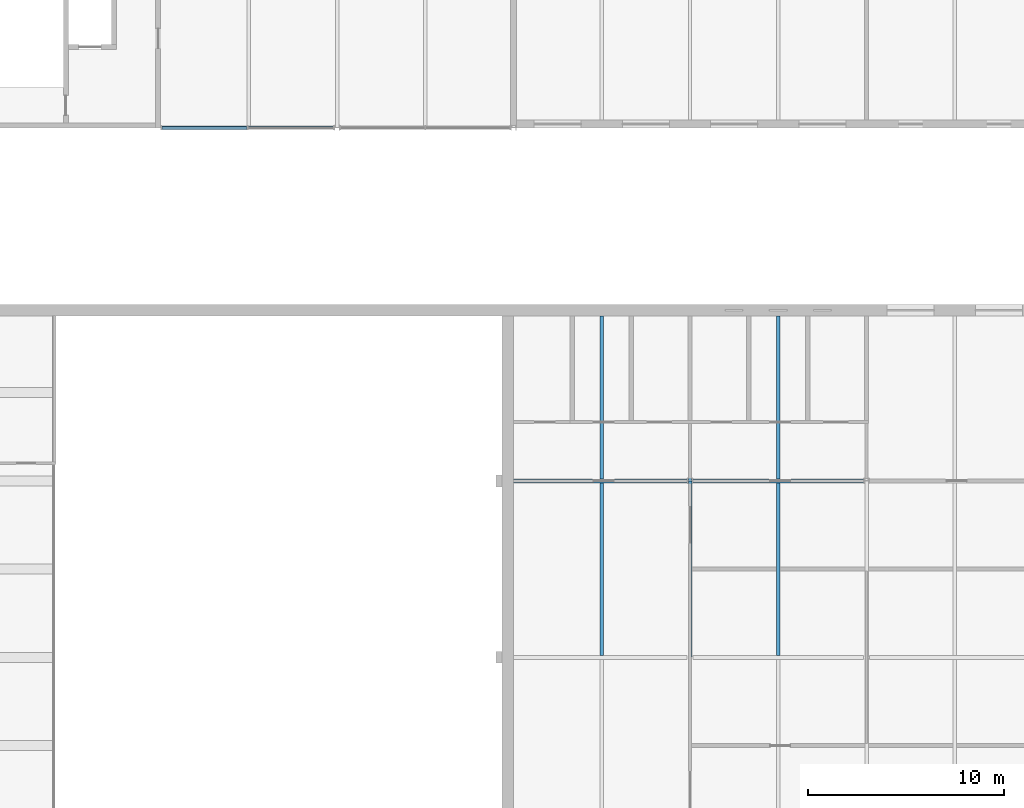
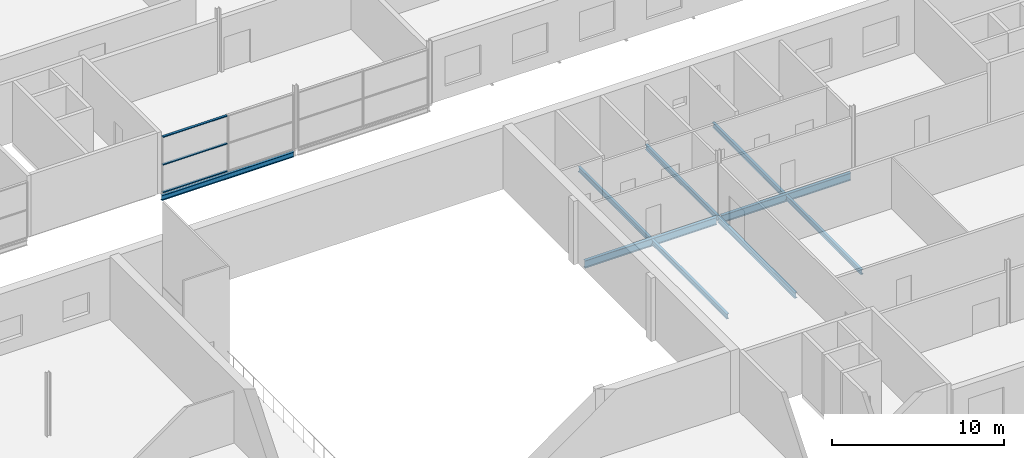
# One storey, part 84 of 138: 9 beams, 3 members, 1 element without a shape of its own.
"""IFC4 building model written with IfcOpenShell, lengths in metres."""

from ifc_helpers import new_model, si_unit, direction, frame, origin, origin_2d, place, context, subcontext, project, spatial, rectangle, i_section, extrude, material, layer, layer_set, material_profile, profile_set, type_object, element, aggregate, save


model = new_model("IFC4")

# Units and contexts
model_context = context("Model", 3, precision=1e-05, world=origin(), true_north=direction((0.0, 1.0)))
body_context = subcontext(model_context, "Body", "Model", "MODEL_VIEW")
ifc_project = project(units=[si_unit("LENGTHUNIT", "METRE"), si_unit("AREAUNIT", "SQUARE_METRE"), si_unit("VOLUMEUNIT", "CUBIC_METRE"), si_unit("PLANEANGLEUNIT", "RADIAN"), si_unit("MASSUNIT", "GRAM", prefix="KILO")], contexts=[model_context])

# Site, building, storey
site_placement = place(None, origin())
site = spatial("IfcSite", under=ifc_project, at=site_placement, CompositionType="ELEMENT")
building_placement = place(site_placement, origin())
building = spatial("IfcBuilding", under=site, at=building_placement, Name="Corbel Yard City Hall", CompositionType="ELEMENT")
storey_placement = place(building_placement, frame((0.0, 0.0, 10.5)))
storey = spatial("IfcBuildingStorey", under=building, at=storey_placement, Name="L02", CompositionType="ELEMENT", Elevation=10.5)

# Beams
ifc_material_1 = material(Name="Steel Grade 300 (300 MPa yield)", Category="steel")
ifc_material_profile_1 = material_profile(ifc_material_1, i_section(OverallWidth=0.1708984375, OverallDepth=0.35205078125, WebThickness=0.0068359375, FlangeThickness=0.009765625, at=origin_2d()), Name="360UB44.7")
ifc_profile_set_1 = profile_set([ifc_material_profile_1], Name="Steel Grade 300 (300 MPa yield)")
beam_type_1 = type_object("IfcBeamType", Name="Beam 360UB44.7", PredefinedType="BEAM", material=ifc_profile_set_1)
beam_1_placement = place(storey_placement, frame((153.0, 72.005859375, -0.325927734375), z_axis=(0.0, 1.0, 0.0), x_axis=(-1.0, 0.0, 0.0)))
element("IfcBeam", 1, at=beam_1_placement, inside=storey, type_object=beam_type_1, Name="Beam 360UB44.7 SB13 L02floor", PredefinedType="BEAM", context=body_context, shape_type="SweptSolid", body=[
    extrude(i_section(OverallWidth=0.1708984375, OverallDepth=0.35205078125, WebThickness=0.0068359375, FlangeThickness=0.009765625, at=origin_2d()), origin(), (0.0, 0.0, 1.0), 8.39404296875),
])
ifc_material_profile_2 = material_profile(ifc_material_1, i_section(OverallWidth=0.177978515625, OverallDepth=0.403076171875, WebThickness=0.007568359375, FlangeThickness=0.010986328125, at=origin_2d()), Name="410UB53.7")
ifc_profile_set_2 = profile_set([ifc_material_profile_2], Name="Steel Grade 300 (300 MPa yield)")
beam_type_2 = type_object("IfcBeamType", Name="Beam 410UB53.7", PredefinedType="BEAM", material=ifc_profile_set_2)
beam_2_placement = place(storey_placement, frame((153.0, 63.005859375, -0.3515625), z_axis=(0.0, 1.0, 0.0), x_axis=(-1.0, 0.0, 0.0)))
element("IfcBeam", 2, at=beam_2_placement, inside=storey, type_object=beam_type_2, Name="Beam 410UB53.7 SB6 L02floor", PredefinedType="BEAM", context=body_context, shape_type="SweptSolid", body=[
    extrude(i_section(OverallWidth=0.177978515625, OverallDepth=0.403076171875, WebThickness=0.007568359375, FlangeThickness=0.010986328125, at=origin_2d()), origin(), (0.0, 0.0, 1.0), 8.98828125),
])
ifc_material_profile_3 = material_profile(ifc_material_1, i_section(OverallWidth=0.172119140625, OverallDepth=0.35888671875, WebThickness=0.008056640625, FlangeThickness=0.012939453125, at=origin_2d()), Name="360UB56.7")
ifc_profile_set_3 = profile_set([ifc_material_profile_3], Name="Steel Grade 300 (300 MPa yield)")
beam_type_3 = type_object("IfcBeamType", Name="Edge beam 360UB56.7", PredefinedType="BEAM", material=ifc_profile_set_3)
beam_3_placement = place(storey_placement, frame((126.0, 90.0, -0.32958984375), z_axis=(1.0, 0.0, 0.0), x_axis=(0.0, 1.0, 0.0)))
element("IfcBeam", 3, at=beam_3_placement, inside=storey, type_object=beam_type_3, Name="Edge beam 360UB56.7 EB4 L02floor", PredefinedType="BEAM", context=body_context, shape_type="SweptSolid", body=[
    extrude(i_section(OverallWidth=0.172119140625, OverallDepth=0.35888671875, WebThickness=0.008056640625, FlangeThickness=0.012939453125, at=origin_2d()), origin(), (0.0, 0.0, 1.0), 8.8701171875),
])
ifc_material_profile_4 = material_profile(ifc_material_1, i_section(OverallWidth=0.208984375, OverallDepth=0.528076171875, WebThickness=0.009521484375, FlangeThickness=0.01318359375, at=origin_2d()), Name="530UB82.0")
ifc_profile_set_4 = profile_set([ifc_material_profile_4], Name="Steel Grade 300 (300 MPa yield)")
beam_type_4 = type_object("IfcBeamType", Name="Girder 530UB82.0", PredefinedType="BEAM", material=ifc_profile_set_4)
beam_4_placement = place(storey_placement, frame((144.0, 72.0, -0.4140625), z_axis=(1.0, 0.0, 0.0), x_axis=(0.0, 1.0, 0.0)))
element("IfcBeam", 4, at=beam_4_placement, inside=storey, type_object=beam_type_4, Name="Girder 530UB82.0 GB3 L02floor", PredefinedType="BEAM", context=body_context, shape_type="SweptSolid", body=[
    extrude(i_section(OverallWidth=0.208984375, OverallDepth=0.528076171875, WebThickness=0.009521484375, FlangeThickness=0.01318359375, at=origin_2d()), origin(), (0.0, 0.0, 1.0), 8.842529296875),
])
beam_5_placement = place(storey_placement, frame((153.157470703125, 72.0, -0.4140625), z_axis=(1.0, 0.0, 0.0), x_axis=(0.0, 1.0, 0.0)))
element("IfcBeam", 5, at=beam_5_placement, inside=storey, type_object=beam_type_4, Name="Girder 530UB82.0 GB3 L02floor", PredefinedType="BEAM", context=body_context, shape_type="SweptSolid", body=[
    extrude(i_section(OverallWidth=0.208984375, OverallDepth=0.528076171875, WebThickness=0.009521484375, FlangeThickness=0.01318359375, at=origin_2d()), origin(), (0.0, 0.0, 1.0), 8.68505859375),
])
ifc_material_profile_5 = material_profile(ifc_material_1, i_section(OverallWidth=0.1708984375, OverallDepth=0.35205078125, WebThickness=0.0068359375, FlangeThickness=0.009765625, at=origin_2d()), Name="360UB44.7")
ifc_profile_set_5 = profile_set([ifc_material_profile_5], Name="Steel Grade 300 (300 MPa yield)")
beam_type_5 = type_object("IfcBeamType", Name="Secondary beam 360UB44.7", PredefinedType="JOIST", material=ifc_profile_set_5)
beam_6_placement = place(storey_placement, frame((148.5, 63.1044921875, -0.325927734375), z_axis=(0.0, 1.0, 0.0), x_axis=(-1.0, 0.0, 0.0)))
element("IfcBeam", 6, at=beam_6_placement, inside=storey, type_object=beam_type_5, Name="Secondary beam 360UB44.7 SB11 L02floor", PredefinedType="JOIST", context=body_context, shape_type="SweptSolid", body=[
    extrude(i_section(OverallWidth=0.1708984375, OverallDepth=0.35205078125, WebThickness=0.0068359375, FlangeThickness=0.009765625, at=origin_2d()), origin(), (0.0, 0.0, 1.0), 8.791015625),
])
beam_7_placement = place(storey_placement, frame((148.5, 72.1044921875, -0.325927734375), z_axis=(0.0, 1.0, 0.0), x_axis=(-1.0, 0.0, 0.0)))
element("IfcBeam", 7, at=beam_7_placement, inside=storey, type_object=beam_type_5, Name="Secondary beam 360UB44.7 SB11 L02floor", PredefinedType="JOIST", context=body_context, shape_type="SweptSolid", body=[
    extrude(i_section(OverallWidth=0.1708984375, OverallDepth=0.35205078125, WebThickness=0.0068359375, FlangeThickness=0.009765625, at=origin_2d()), origin(), (0.0, 0.0, 1.0), 8.29541015625),
])
beam_8_placement = place(storey_placement, frame((157.5, 63.1044921875, -0.325927734375), z_axis=(0.0, 1.0, 0.0), x_axis=(-1.0, 0.0, 0.0)))
element("IfcBeam", 8, at=beam_8_placement, inside=storey, type_object=beam_type_5, Name="Secondary beam 360UB44.7 SB11 L02floor", PredefinedType="JOIST", context=body_context, shape_type="SweptSolid", body=[
    extrude(i_section(OverallWidth=0.1708984375, OverallDepth=0.35205078125, WebThickness=0.0068359375, FlangeThickness=0.009765625, at=origin_2d()), origin(), (0.0, 0.0, 1.0), 8.791015625),
])
beam_9_placement = place(storey_placement, frame((157.5, 72.1044921875, -0.325927734375), z_axis=(0.0, 1.0, 0.0), x_axis=(-1.0, 0.0, 0.0)))
element("IfcBeam", 9, at=beam_9_placement, inside=storey, type_object=beam_type_5, Name="Secondary beam 360UB44.7 SB11 L02floor", PredefinedType="JOIST", context=body_context, shape_type="SweptSolid", body=[
    extrude(i_section(OverallWidth=0.1708984375, OverallDepth=0.35205078125, WebThickness=0.0068359375, FlangeThickness=0.009765625, at=origin_2d()), origin(), (0.0, 0.0, 1.0), 8.29541015625),
])

# Curtain wall, members
ifc_material_2 = material(Name="Aluminium extrusion", Category="aluminium")
ifc_layer = layer(ifc_material_2, 0.199951171875)
ifc_layer_set = layer_set([ifc_layer], Name="Aluminium extrusion")
curtain_wall_type = type_object("IfcCurtainWallType", Name="CW1", PredefinedType="USERDEFINED", material=ifc_layer_set)
curtain_wall_placement = place(storey_placement, origin())
curtain_wall = element("IfcCurtainWall", 10, at=curtain_wall_placement, inside=storey, type_object=curtain_wall_type, Name="Curtain wall CW1 L02", ObjectType="CURTAIN WALL", PredefinedType="USERDEFINED")
ifc_material_profile_6 = material_profile(ifc_material_2, rectangle(XDim=0.14990234375, YDim=0.06494140625, at=origin_2d()), Name="150x65")
ifc_profile_set_6 = profile_set([ifc_material_profile_6], Name="Aluminium extrusion")
member_type = type_object("IfcMemberType", Name="TR1", PredefinedType="USERDEFINED", material=ifc_profile_set_6)
member_1_placement = place(storey_placement, frame((126.06494140625, 90.0, 0.032470703125), z_axis=(1.0, 0.0, 0.0), x_axis=(0.0, 1.0, 0.0)))
member_1 = element("IfcMember", 11, at=member_1_placement, type_object=member_type, Name="CW1 transom 1.1", ObjectType="TRANSOM", PredefinedType="USERDEFINED", context=body_context, shape_type="SweptSolid", body=[
    extrude(rectangle(XDim=0.14990234375, YDim=0.06494140625, at=origin_2d()), origin(), (0.0, 0.0, 1.0), 4.339111328125),
])
member_2_placement = place(storey_placement, frame((126.06494140625, 90.0, 1.99560546875), z_axis=(1.0, 0.0, 0.0), x_axis=(0.0, 1.0, 0.0)))
member_2 = element("IfcMember", 12, at=member_2_placement, type_object=member_type, Name="CW1 transom 1.2", ObjectType="TRANSOM", PredefinedType="USERDEFINED", context=body_context, shape_type="SweptSolid", body=[
    extrude(rectangle(XDim=0.14990234375, YDim=0.06494140625, at=origin_2d()), origin(), (0.0, 0.0, 1.0), 4.339111328125),
])
member_3_placement = place(storey_placement, frame((126.06494140625, 90.0, 3.95849609375), z_axis=(1.0, 0.0, 0.0), x_axis=(0.0, 1.0, 0.0)))
member_3 = element("IfcMember", 13, at=member_3_placement, type_object=member_type, Name="CW1 transom 1.3", ObjectType="TRANSOM", PredefinedType="USERDEFINED", context=body_context, shape_type="SweptSolid", body=[
    extrude(rectangle(XDim=0.14990234375, YDim=0.06494140625, at=origin_2d()), origin(), (0.0, 0.0, 1.0), 4.339111328125),
])
aggregate(curtain_wall, [member_1, member_2, member_3])

save(model, "model.ifc")
